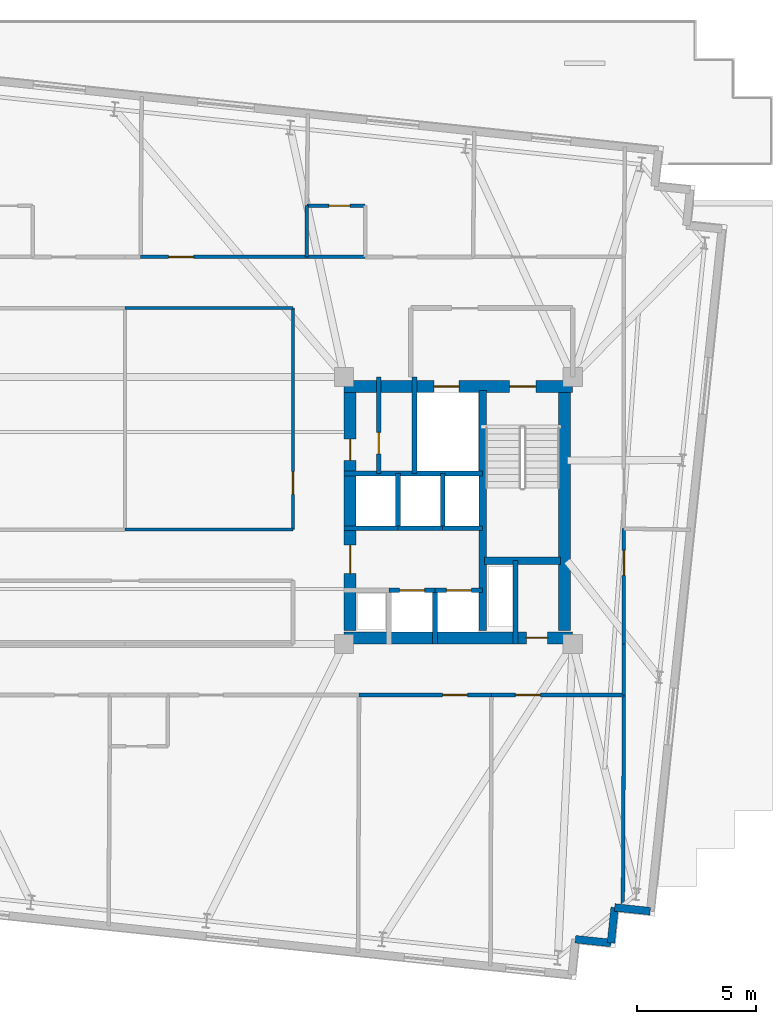
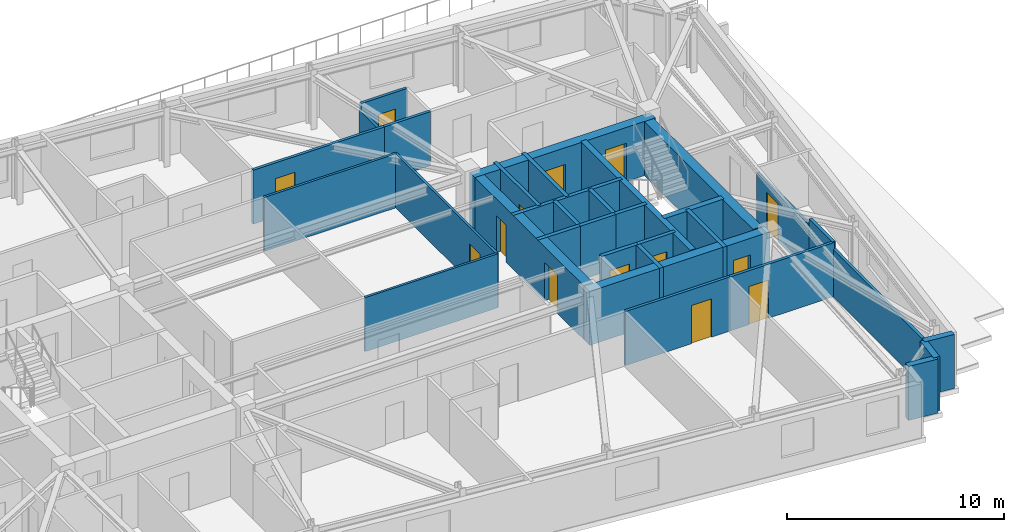
# One storey, part 8 of 13: 33 walls, 14 doors, 14 openings.
"""IFC4 building model written with IfcOpenShell, lengths in metres."""

from ifc_helpers import new_model, si_unit, direction, frame, frame_2d, origin, place, context, subcontext, project, spatial, rectangle, extrude, material, layer, layer_set, type_object, element, fill, save


model = new_model("IFC4")

# Units and contexts
model_context = context("Model", 3, precision=1e-05, world=origin(), true_north=direction((0.0, 1.0)))
body_context = subcontext(model_context, "Body", "Model", "MODEL_VIEW")
ifc_project = project(units=[si_unit("LENGTHUNIT", "METRE"), si_unit("AREAUNIT", "SQUARE_METRE"), si_unit("VOLUMEUNIT", "CUBIC_METRE"), si_unit("PLANEANGLEUNIT", "RADIAN"), si_unit("MASSUNIT", "GRAM", prefix="KILO")], contexts=[model_context])

# Site, building, storey
site_placement = place(None, origin())
site = spatial("IfcSite", under=ifc_project, at=site_placement, CompositionType="ELEMENT")
building_placement = place(site_placement, origin())
building = spatial("IfcBuilding", under=site, at=building_placement, Name="Qobustan Lattice House", CompositionType="ELEMENT")
storey_placement = place(building_placement, frame((0.0, 0.0, 179.64990234375)))
storey = spatial("IfcBuildingStorey", under=building, at=storey_placement, Name="L50", CompositionType="ELEMENT", Elevation=179.64990234375)

# Wall, openings, doors
ifc_material_1 = material(Name="Concrete C50/60", Category="concrete")
ifc_layer_1 = layer(ifc_material_1, 0.5)
ifc_layer_set_1 = layer_set([ifc_layer_1], Name="Concrete C50/60")
wall_type_1 = type_object("IfcWallType", Name="WAL-CORE-500", PredefinedType="SHEAR", material=ifc_layer_set_1)
wall_1_placement = place(storey_placement, frame((9.199951171875, 5.2099609375, 0.0), z_axis=(0.0, 0.0, 1.0), x_axis=(1.0, 0.0, 0.0)))
wall_1 = element("IfcWall", 1, at=wall_1_placement, inside=storey, type_object=wall_type_1, Name="L50 split-core shear wall CE-N", PredefinedType="SHEAR", context=body_context, shape_type="SweptSolid", body=[
    extrude(rectangle(XDim=9.60009765625, YDim=0.5, at=frame_2d((4.800048828125, 0.0))), origin(), (0.0, 0.0, 1.0), 3.0400390625),
])
opening_1_placement = place(wall_1_placement, frame((6.949951171875, 0.0, 0.0)))
opening_1 = element("IfcOpeningElement", 2, at=opening_1_placement, cuts=wall_1, Name="Opening SD-01", PredefinedType="OPENING", context=body_context, shape_type="SweptSolid", body=[
    extrude(rectangle(XDim=1.10009765625, YDim=2.14990234375, at=frame_2d((0.550048828125, 1.074951171875))), frame((0.0, 0.260009765625, 0.0), z_axis=(0.0, -1.0, 0.0), x_axis=(1.0, 0.0, 0.0)), (0.0, 0.0, 1.0), 0.52001953125),
])
opening_2_placement = place(wall_1_placement, frame((3.77490234375, 0.0, 0.0)))
opening_2 = element("IfcOpeningElement", 3, at=opening_2_placement, cuts=wall_1, Name="Opening LD-01", PredefinedType="OPENING", context=body_context, shape_type="SweptSolid", body=[
    extrude(rectangle(XDim=1.050048828125, YDim=2.10009765625, at=frame_2d((0.52490234375, 1.050048828125))), frame((0.0, 0.260009765625, 0.0), z_axis=(0.0, -1.0, 0.0), x_axis=(1.0, 0.0, 0.0)), (0.0, 0.0, 1.0), 0.52001953125),
])
ifc_material_2 = material(Name="Persian walnut timber and steel frame door", Category="steel")
door_type_1 = type_object("IfcDoorType", Name="DOR-LIFT-LD-1050x2100", OperationType="NOTDEFINED", PredefinedType="DOOR", material=ifc_material_2)
door_1_placement = place(opening_2_placement, origin())
door_1 = element("IfcDoor", 4, at=door_1_placement, inside=storey, type_object=door_type_1, Name="L50 firefighting lift FF-E landing door", OperationType="DOUBLE_DOOR_SLIDING", OverallHeight=2.10009765625, OverallWidth=1.050048828125, PredefinedType="DOOR", context=body_context, shape_type="SweptSolid", body=[
    extrude(rectangle(XDim=1.050048828125, YDim=2.10009765625, at=frame_2d((0.52490234375, 1.050048828125))), frame((0.0, 0.02490234375, 0.0), z_axis=(0.0, -1.0, 0.0), x_axis=(1.0, 0.0, 0.0)), (0.0, 0.0, 1.0), 0.050048828125),
])
fill(opening_2, door_1)
ifc_material_3 = material(Name="Persian walnut timber and steel frame door", Category="steel")
door_type_2 = type_object("IfcDoorType", Name="DOR-STAIR-FD-1100x2150", OperationType="NOTDEFINED", PredefinedType="DOOR", material=ifc_material_3)
door_2_placement = place(opening_1_placement, origin())
door_2 = element("IfcDoor", 5, at=door_2_placement, inside=storey, type_object=door_type_2, Name="L50 exit stair ST-E1 fire door", OperationType="SINGLE_SWING_RIGHT", OverallHeight=2.14990234375, OverallWidth=1.10009765625, PredefinedType="DOOR", context=body_context, shape_type="SweptSolid", body=[
    extrude(rectangle(XDim=1.10009765625, YDim=2.14990234375, at=frame_2d((0.550048828125, 1.074951171875))), frame((0.0, 0.02490234375, 0.0), z_axis=(0.0, -1.0, 0.0), x_axis=(1.0, 0.0, 0.0)), (0.0, 0.0, 1.0), 0.050048828125),
])
fill(opening_1, door_2)

# Wall, opening, door
wall_2_placement = place(storey_placement, frame((9.199951171875, -5.35009765625, 0.0), z_axis=(0.0, 0.0, 1.0), x_axis=(1.0, 0.0, 0.0)))
wall_2 = element("IfcWall", 6, at=wall_2_placement, inside=storey, type_object=wall_type_1, Name="L50 split-core shear wall CE-S", PredefinedType="SHEAR", context=body_context, shape_type="SweptSolid", body=[
    extrude(rectangle(XDim=9.60009765625, YDim=0.5, at=frame_2d((4.800048828125, 0.0))), origin(), (0.0, 0.0, 1.0), 3.0400390625),
])
opening_3_placement = place(wall_2_placement, frame((7.64990234375, 0.0, 0.0)))
opening_3 = element("IfcOpeningElement", 7, at=opening_3_placement, cuts=wall_2, Name="Opening RD-01", PredefinedType="OPENING", context=body_context, shape_type="SweptSolid", body=[
    extrude(rectangle(XDim=0.89990234375, YDim=2.10009765625, at=frame_2d((0.449951171875, 1.050048828125))), frame((0.0, 0.260009765625, 0.0), z_axis=(0.0, -1.0, 0.0), x_axis=(1.0, 0.0, 0.0)), (0.0, 0.0, 1.0), 0.52001953125),
])
ifc_material_4 = material(Name="Persian walnut timber and steel frame door", Category="steel")
door_type_3 = type_object("IfcDoorType", Name="DOR-RISER-FD-900x2100", OperationType="NOTDEFINED", PredefinedType="DOOR", material=ifc_material_4)
door_3_placement = place(opening_3_placement, origin())
door_3 = element("IfcDoor", 8, at=door_3_placement, inside=storey, type_object=door_type_3, Name="L50 core service riser access door E", OperationType="SINGLE_SWING_RIGHT", OverallHeight=2.10009765625, OverallWidth=0.89990234375, PredefinedType="DOOR", context=body_context, shape_type="SweptSolid", body=[
    extrude(rectangle(XDim=0.89990234375, YDim=2.10009765625, at=frame_2d((0.449951171875, 1.050048828125))), frame((0.0, 0.02490234375, 0.0), z_axis=(0.0, -1.0, 0.0), x_axis=(1.0, 0.0, 0.0)), (0.0, 0.0, 1.0), 0.050048828125),
])
fill(opening_3, door_3)

# Wall, openings, doors
wall_3_placement = place(storey_placement, frame((9.449951171875, -5.050048828125, 0.0), z_axis=(0.0, 0.0, 1.0), x_axis=(0.0, 1.0, 0.0)))
wall_3 = element("IfcWall", 9, at=wall_3_placement, inside=storey, type_object=wall_type_1, Name="L50 split-core shear wall CE-W", PredefinedType="SHEAR", context=body_context, shape_type="SweptSolid", body=[
    extrude(rectangle(XDim=10.10009765625, YDim=0.5, at=frame_2d((5.050048828125, 0.0))), origin(), (0.0, 0.0, 1.0), 3.0400390625),
])
opening_4_placement = place(wall_3_placement, frame((7.14990234375, 0.0, 0.0)))
opening_4 = element("IfcOpeningElement", 10, at=opening_4_placement, cuts=wall_3, Name="Opening RD-01", PredefinedType="OPENING", context=body_context, shape_type="SweptSolid", body=[
    extrude(rectangle(XDim=0.89990234375, YDim=2.10009765625, at=frame_2d((0.449951171875, 1.050048828125))), frame((0.0, 0.260009765625, 0.0), z_axis=(0.0, -1.0, 0.0), x_axis=(1.0, 0.0, 0.0)), (0.0, 0.0, 1.0), 0.52001953125),
])
opening_5_placement = place(wall_3_placement, frame((2.39990234375, 0.0, 0.0)))
opening_5 = element("IfcOpeningElement", 11, at=opening_5_placement, cuts=wall_3, Name="Opening FD-01", PredefinedType="OPENING", context=body_context, shape_type="SweptSolid", body=[
    extrude(rectangle(XDim=1.199951171875, YDim=2.14990234375, at=frame_2d((0.60009765625, 1.074951171875))), frame((0.0, 0.260009765625, 0.0), z_axis=(0.0, -1.0, 0.0), x_axis=(1.0, 0.0, 0.0)), (0.0, 0.0, 1.0), 0.52001953125),
])
ifc_material_5 = material(Name="Persian walnut timber and steel frame door", Category="steel")
door_type_4 = type_object("IfcDoorType", Name="DOR-LOBBY-FD-1200x2150", OperationType="NOTDEFINED", PredefinedType="DOOR", material=ifc_material_5)
door_4_placement = place(opening_5_placement, origin())
door_4 = element("IfcDoor", 12, at=door_4_placement, inside=storey, type_object=door_type_4, Name="L50 East passenger lift lobby fire door", OperationType="SINGLE_SWING_LEFT", OverallHeight=2.14990234375, OverallWidth=1.199951171875, PredefinedType="DOOR", context=body_context, shape_type="SweptSolid", body=[
    extrude(rectangle(XDim=1.199951171875, YDim=2.14990234375, at=frame_2d((0.60009765625, 1.074951171875))), frame((0.0, 0.02490234375, 0.0), z_axis=(0.0, -1.0, 0.0), x_axis=(1.0, 0.0, 0.0)), (0.0, 0.0, 1.0), 0.050048828125),
])
fill(opening_5, door_4)
door_5_placement = place(opening_4_placement, origin())
door_5 = element("IfcDoor", 13, at=door_5_placement, inside=storey, type_object=door_type_3, Name="L50 Print and mail closet fire door", OperationType="SINGLE_SWING_RIGHT", OverallHeight=2.10009765625, OverallWidth=0.89990234375, PredefinedType="DOOR", context=body_context, shape_type="SweptSolid", body=[
    extrude(rectangle(XDim=0.89990234375, YDim=2.10009765625, at=frame_2d((0.449951171875, 1.050048828125))), frame((0.0, 0.02490234375, 0.0), z_axis=(0.0, -1.0, 0.0), x_axis=(1.0, 0.0, 0.0)), (0.0, 0.0, 1.0), 0.050048828125),
])
fill(opening_4, door_5)

# Walls
wall_4_placement = place(storey_placement, frame((18.4599609375, -5.050048828125, 0.0), z_axis=(0.0, 0.0, 1.0), x_axis=(0.0, 1.0, 0.0)))
element("IfcWall", 14, at=wall_4_placement, inside=storey, type_object=wall_type_1, Name="L50 split-core shear wall CE-E", PredefinedType="SHEAR", context=body_context, shape_type="SweptSolid", body=[
    extrude(rectangle(XDim=10.10009765625, YDim=0.5, at=frame_2d((5.050048828125, 0.0))), origin(), (0.0, 0.0, 1.0), 3.0400390625),
])
ifc_material_6 = material(Name="Concrete C50/60", Category="concrete")
ifc_layer_2 = layer(ifc_material_6, 0.280029296875)
ifc_layer_set_2 = layer_set([ifc_layer_2], Name="Concrete C50/60")
wall_type_2 = type_object("IfcWallType", Name="WAL-CORE-SPINE-280", PredefinedType="SHEAR", material=ifc_layer_set_2)
wall_5_placement = place(storey_placement, frame((15.02001953125, -5.050048828125, 0.0), z_axis=(0.0, 0.0, 1.0), x_axis=(0.0, 1.0, 0.0)))
element("IfcWall", 15, at=wall_5_placement, inside=storey, type_object=wall_type_2, Name="L50 split-core shear wall CE-M", PredefinedType="SHEAR", context=body_context, shape_type="SweptSolid", body=[
    extrude(rectangle(XDim=10.10009765625, YDim=0.300048828125, at=frame_2d((5.050048828125, 0.0))), origin(), (0.0, 0.0, 1.0), 3.0400390625),
])
wall_6_placement = place(storey_placement, frame((15.10009765625, -2.110107421875, 0.0), z_axis=(0.0, 0.0, 1.0), x_axis=(1.0, 0.0, 0.0)))
element("IfcWall", 16, at=wall_6_placement, inside=storey, type_object=wall_type_2, Name="L50 split-core shear wall CE-ST", PredefinedType="SHEAR", context=body_context, shape_type="SweptSolid", body=[
    extrude(rectangle(XDim=3.179931640625, YDim=0.300048828125, at=frame_2d((1.58984375, 0.0))), origin(), (0.0, 0.0, 1.0), 3.0400390625),
])
ifc_material_7 = material(Name="Precast concrete C40/50", Category="concrete")
ifc_layer_3 = layer(ifc_material_7, 0.320068359375)
ifc_layer_set_3 = layer_set([ifc_layer_3], Name="Precast concrete C40/50")
wall_type_3 = type_object("IfcWallType", Name="WAL-EXT-STONE-320", PredefinedType="SOLIDWALL", material=ifc_layer_set_3)
wall_7_placement = place(storey_placement, frame((22.052978515625, -16.828369140625, 0.0), z_axis=(0.0, 0.0, 1.0), x_axis=(-0.994526834051, 0.104481464157, 0.0)))
element("IfcWall", 17, at=wall_7_placement, inside=storey, type_object=wall_type_3, Name="L50 exterior limestone-clad wall 16", PredefinedType="SOLIDWALL", context=body_context, shape_type="SweptSolid", body=[
    extrude(rectangle(XDim=1.500244140625, YDim=0.320068359375, at=frame_2d((0.75, 0.0))), origin(), (0.0, 0.0, 1.0), 3.0400390625),
])
for number, where, z_axis, x_axis, name in (
    (18, (20.56103515625, -16.671630859375, 0.0), (0.0, 0.0, 1.0), (-0.104498377516, -0.994525057048, 0.0), "L50 exterior limestone-clad wall 17"),
    (19, (20.404296875, -18.163330078125, 0.0), (0.0, 0.0, 1.0), (-0.994525057048, 0.104498377516, 0.0), "L50 exterior limestone-clad wall 18"),
):
    element("IfcWall", number, at=place(storey_placement, frame(where, z_axis=z_axis, x_axis=x_axis)), inside=storey, type_object=wall_type_3, Name=name, PredefinedType="SOLIDWALL", context=body_context, shape_type="SweptSolid", body=[
        extrude(rectangle(XDim=1.5, YDim=0.320068359375, at=frame_2d((0.75, 0.0))), origin(), (0.0, 0.0, 1.0), 3.0400390625),
    ])

# Wall, opening, door
ifc_material_8 = material(Name="Gypsum fireboard acoustic partition", Category="gypsum")
ifc_layer_4 = layer(ifc_material_8, 0.179931640625)
ifc_layer_set_4 = layer_set([ifc_layer_4], Name="Gypsum fireboard acoustic partition")
wall_type_4 = type_object("IfcWallType", Name="WAL-FIRE-180", PredefinedType="PARTITIONING", material=ifc_layer_set_4)
wall_8_placement = place(storey_placement, frame((10.64990234375, 1.550048828125, 0.0), z_axis=(0.0, 0.0, 1.0), x_axis=(0.0, 1.0, 0.0)))
wall_8 = element("IfcWall", 20, at=wall_8_placement, inside=storey, type_object=wall_type_4, Name="L50 interior partition 18", PredefinedType="PARTITIONING", context=body_context, shape_type="SweptSolid", body=[
    extrude(rectangle(XDim=4.050048828125, YDim=0.179931640625, at=frame_2d((2.02490234375, 0.0))), origin(), (0.0, 0.0, 1.0), 3.0400390625),
])
opening_6_placement = place(wall_8_placement, frame((0.828857421875, 0.0, 0.0)))
opening_6 = element("IfcOpeningElement", 21, at=opening_6_placement, cuts=wall_8, Name="Opening RD-01", PredefinedType="OPENING", context=body_context, shape_type="SweptSolid", body=[
    extrude(rectangle(XDim=0.89990234375, YDim=2.10009765625, at=frame_2d((0.449951171875, 1.050048828125))), frame((0.0, 0.099853515625, 0.0), z_axis=(0.0, -1.0, 0.0), x_axis=(1.0, 0.0, 0.0)), (0.0, 0.0, 1.0), 0.199951171875),
])
door_6_placement = place(opening_6_placement, origin())
door_6 = element("IfcDoor", 22, at=door_6_placement, inside=storey, type_object=door_type_3, Name="L50 Print and mail closet to Core utility store door", OperationType="SINGLE_SWING_LEFT", OverallHeight=2.10009765625, OverallWidth=0.89990234375, PredefinedType="DOOR", context=body_context, shape_type="SweptSolid", body=[
    extrude(rectangle(XDim=0.89990234375, YDim=2.10009765625, at=frame_2d((0.449951171875, 1.050048828125))), frame((0.0, 0.02490234375, 0.0), z_axis=(0.0, -1.0, 0.0), x_axis=(1.0, 0.0, 0.0)), (0.0, 0.0, 1.0), 0.050048828125),
])
fill(opening_6, door_6)

# Walls
ifc_material_9 = material(Name="Lightweight acoustic stud partition", Category="gypsum")
ifc_layer_5 = layer(ifc_material_9, 0.125)
ifc_layer_set_5 = layer_set([ifc_layer_5], Name="Lightweight acoustic stud partition")
wall_type_5 = type_object("IfcWallType", Name="WAL-PART-125", PredefinedType="PARTITIONING", material=ifc_layer_set_5)
for number, where, z_axis, x_axis, name in (
    (23, (7.050048828125, 8.5, 0.0), (0.0, 0.0, 1.0), (-1.0, 0.0, 0.0), "L50 interior partition 43"),
    (24, (0.0, -0.800048828125, 0.0), (0.0, 0.0, 1.0), (1.0, 0.0, 0.0), "L50 interior partition 61"),
):
    element("IfcWall", number, at=place(storey_placement, frame(where, z_axis=z_axis, x_axis=x_axis)), inside=storey, type_object=wall_type_5, Name=name, PredefinedType="PARTITIONING", context=body_context, shape_type="SweptSolid", body=[
        extrude(rectangle(XDim=7.050048828125, YDim=0.125, at=frame_2d((3.52490234375, 0.0))), origin(), (0.0, 0.0, 1.0), 3.0400390625),
    ])

# Wall, opening, door
wall_9_placement = place(storey_placement, frame((7.050048828125, -0.800048828125, 0.0), z_axis=(0.0, 0.0, 1.0), x_axis=(0.0, 1.0, 0.0)))
wall_9 = element("IfcWall", 25, at=wall_9_placement, inside=storey, type_object=wall_type_5, Name="L50 interior partition 65", PredefinedType="PARTITIONING", context=body_context, shape_type="SweptSolid", body=[
    extrude(rectangle(XDim=9.300048828125, YDim=0.125, at=frame_2d((4.64990234375, 0.0))), origin(), (0.0, 0.0, 1.0), 3.0400390625),
])
opening_7_placement = place(wall_9_placement, frame((1.478759765625, 0.0, 0.0)))
opening_7 = element("IfcOpeningElement", 26, at=opening_7_placement, cuts=wall_9, Name="Opening ID-01", PredefinedType="OPENING", context=body_context, shape_type="SweptSolid", body=[
    extrude(rectangle(XDim=0.949951171875, YDim=2.10009765625, at=frame_2d((0.47509765625, 1.050048828125))), frame((0.0, 0.072509765625, 0.0), z_axis=(0.0, -1.0, 0.0), x_axis=(1.0, 0.0, 0.0)), (0.0, 0.0, 1.0), 0.14501953125),
])
ifc_material_10 = material(Name="Persian walnut timber and steel frame door", Category="steel")
door_type_5 = type_object("IfcDoorType", Name="DOR-ROOM-950x2100", OperationType="NOTDEFINED", PredefinedType="DOOR", material=ifc_material_10)
door_7_placement = place(opening_7_placement, origin())
door_7 = element("IfcDoor", 27, at=door_7_placement, inside=storey, type_object=door_type_5, Name="L50 East floor link corridor to Focus booth salon door", OperationType="SINGLE_SWING_LEFT", OverallHeight=2.10009765625, OverallWidth=0.949951171875, PredefinedType="DOOR", context=body_context, shape_type="SweptSolid", body=[
    extrude(rectangle(XDim=0.949951171875, YDim=2.10009765625, at=frame_2d((0.47509765625, 1.050048828125))), frame((0.0, 0.02490234375, 0.0), z_axis=(0.0, -1.0, 0.0), x_axis=(1.0, 0.0, 0.0)), (0.0, 0.0, 1.0), 0.050048828125),
])
fill(opening_7, door_7)

ifc_material_11 = material(Name="Acoustic twin-stud gypsum partition", Category="gypsum")
ifc_layer_6 = layer(ifc_material_11, 0.14990234375)
ifc_layer_set_6 = layer_set([ifc_layer_6], Name="Acoustic twin-stud gypsum partition")
wall_type_6 = type_object("IfcWallType", Name="WAL-PART-150", PredefinedType="PARTITIONING", material=ifc_layer_set_6)
wall_10_placement = place(storey_placement, frame((0.64990234375, 10.64990234375, 0.0), z_axis=(0.0, 0.0, 1.0), x_axis=(1.0, 0.0, 0.0)))
wall_10 = element("IfcWall", 28, at=wall_10_placement, inside=storey, type_object=wall_type_6, Name="L50 interior partition 39", PredefinedType="PARTITIONING", context=body_context, shape_type="SweptSolid", body=[
    extrude(rectangle(XDim=6.983154296875, YDim=0.14990234375, at=frame_2d((3.49169921875, 0.0))), origin(), (0.0, 0.0, 1.0), 3.0400390625),
])
opening_8_placement = place(wall_10_placement, frame((1.176513671875, 0.0, 0.0)))
opening_8 = element("IfcOpeningElement", 29, at=opening_8_placement, cuts=wall_10, Name="Opening ID-02", PredefinedType="OPENING", context=body_context, shape_type="SweptSolid", body=[
    extrude(rectangle(XDim=1.050048828125, YDim=2.14990234375, at=frame_2d((0.52490234375, 1.074951171875))), frame((0.0, 0.0849609375, 0.0), z_axis=(0.0, -1.0, 0.0), x_axis=(1.0, 0.0, 0.0)), (0.0, 0.0, 1.0), 0.169921875),
])
ifc_material_12 = material(Name="Persian walnut timber and steel frame door", Category="steel")
door_type_6 = type_object("IfcDoorType", Name="DOR-STUDY-1050x2150", OperationType="NOTDEFINED", PredefinedType="DOOR", material=ifc_material_12)
door_8_placement = place(opening_8_placement, origin())
door_8 = element("IfcDoor", 30, at=door_8_placement, inside=storey, type_object=door_type_6, Name="L50 North-east floor corridor to Garden terrace reading salon N4 door", OperationType="SINGLE_SWING_RIGHT", OverallHeight=2.14990234375, OverallWidth=1.050048828125, PredefinedType="DOOR", context=body_context, shape_type="SweptSolid", body=[
    extrude(rectangle(XDim=1.050048828125, YDim=2.14990234375, at=frame_2d((0.52490234375, 1.074951171875))), frame((0.0, 0.02490234375, 0.0), z_axis=(0.0, -1.0, 0.0), x_axis=(1.0, 0.0, 0.0)), (0.0, 0.0, 1.0), 0.050048828125),
])
fill(opening_8, door_8)

# Wall
wall_11_placement = place(storey_placement, frame((20.949951171875, -5.60009765625, 0.0), z_axis=(0.0, 0.0, 1.0), x_axis=(0.0, -1.0, 0.0)))
element("IfcWall", 31, at=wall_11_placement, inside=storey, type_object=wall_type_6, Name="L50 interior partition 51", PredefinedType="PARTITIONING", context=body_context, shape_type="SweptSolid", body=[
    extrude(rectangle(XDim=2.14990234375, YDim=0.14990234375, at=frame_2d((1.074951171875, 0.0))), origin(), (0.0, 0.0, 1.0), 3.0400390625),
])

# Wall, opening, door
wall_12_placement = place(storey_placement, frame((15.387451171875, -7.75, 0.0), z_axis=(0.0, 0.0, 1.0), x_axis=(-1.0, 0.0, 0.0)))
wall_12 = element("IfcWall", 32, at=wall_12_placement, inside=storey, type_object=wall_type_6, Name="L50 interior partition 54", PredefinedType="PARTITIONING", context=body_context, shape_type="SweptSolid", body=[
    extrude(rectangle(XDim=5.5625, YDim=0.14990234375, at=frame_2d((2.78125, 0.0))), origin(), (0.0, 0.0, 1.0), 3.0400390625),
])
opening_9_placement = place(wall_12_placement, frame((0.9990234375, 0.0, 0.0)))
opening_9 = element("IfcOpeningElement", 33, at=opening_9_placement, cuts=wall_12, Name="Opening ID-02", PredefinedType="OPENING", context=body_context, shape_type="SweptSolid", body=[
    extrude(rectangle(XDim=1.050048828125, YDim=2.14990234375, at=frame_2d((0.52490234375, 1.074951171875))), frame((0.0, 0.0849609375, 0.0), z_axis=(0.0, -1.0, 0.0), x_axis=(1.0, 0.0, 0.0)), (0.0, 0.0, 1.0), 0.169921875),
])
door_9_placement = place(opening_9_placement, origin())
door_9 = element("IfcDoor", 34, at=door_9_placement, inside=storey, type_object=door_type_6, Name="L50 South-east floor corridor to Group study room door", OperationType="SINGLE_SWING_RIGHT", OverallHeight=2.14990234375, OverallWidth=1.050048828125, PredefinedType="DOOR", context=body_context, shape_type="SweptSolid", body=[
    extrude(rectangle(XDim=1.050048828125, YDim=2.14990234375, at=frame_2d((0.52490234375, 1.074951171875))), frame((0.0, 0.02490234375, 0.0), z_axis=(0.0, -1.0, 0.0), x_axis=(1.0, 0.0, 0.0)), (0.0, 0.0, 1.0), 0.050048828125),
])
fill(opening_9, door_9)

wall_13_placement = place(storey_placement, frame((20.949951171875, -7.75, 0.0), z_axis=(0.0, 0.0, 1.0), x_axis=(-1.0, 0.0, 0.0)))
wall_13 = element("IfcWall", 35, at=wall_13_placement, inside=storey, type_object=wall_type_6, Name="L50 interior partition 55", PredefinedType="PARTITIONING", context=body_context, shape_type="SweptSolid", body=[
    extrude(rectangle(XDim=5.5625, YDim=0.14990234375, at=frame_2d((2.78125, 0.0))), origin(), (0.0, 0.0, 1.0), 3.0400390625),
])
opening_10_placement = place(wall_13_placement, frame((3.513427734375, 0.0, 0.0)))
opening_10 = element("IfcOpeningElement", 36, at=opening_10_placement, cuts=wall_13, Name="Opening ID-02", PredefinedType="OPENING", context=body_context, shape_type="SweptSolid", body=[
    extrude(rectangle(XDim=1.050048828125, YDim=2.14990234375, at=frame_2d((0.52490234375, 1.074951171875))), frame((0.0, 0.0849609375, 0.0), z_axis=(0.0, -1.0, 0.0), x_axis=(1.0, 0.0, 0.0)), (0.0, 0.0, 1.0), 0.169921875),
])
door_10_placement = place(opening_10_placement, origin())
door_10 = element("IfcDoor", 37, at=door_10_placement, inside=storey, type_object=door_type_6, Name="L50 South-east floor corridor to Academic seminar room door", OperationType="SINGLE_SWING_LEFT", OverallHeight=2.14990234375, OverallWidth=1.050048828125, PredefinedType="DOOR", context=body_context, shape_type="SweptSolid", body=[
    extrude(rectangle(XDim=1.050048828125, YDim=2.14990234375, at=frame_2d((0.52490234375, 1.074951171875))), frame((0.0, 0.02490234375, 0.0), z_axis=(0.0, -1.0, 0.0), x_axis=(1.0, 0.0, 0.0)), (0.0, 0.0, 1.0), 0.050048828125),
])
fill(opening_10, door_10)

wall_14_placement = place(storey_placement, frame((20.949951171875, -0.76318359375, 0.0), z_axis=(0.0, 0.0, 1.0), x_axis=(0.0, -1.0, 0.0)))
wall_14 = element("IfcWall", 38, at=wall_14_placement, inside=storey, type_object=wall_type_6, Name="L50 interior partition 58", PredefinedType="PARTITIONING", context=body_context, shape_type="SweptSolid", body=[
    extrude(rectangle(XDim=4.8369140625, YDim=0.14990234375, at=frame_2d((2.41845703125, 0.0))), origin(), (0.0, 0.0, 1.0), 2.695068359375),
])
opening_11_placement = place(wall_14_placement, frame((0.908203125, 0.0, 0.0)))
opening_11 = element("IfcOpeningElement", 39, at=opening_11_placement, cuts=wall_14, Name="Opening ID-02", PredefinedType="OPENING", context=body_context, shape_type="SweptSolid", body=[
    extrude(rectangle(XDim=1.050048828125, YDim=2.14990234375, at=frame_2d((0.52490234375, 1.074951171875))), frame((0.0, 0.0849609375, 0.0), z_axis=(0.0, -1.0, 0.0), x_axis=(1.0, 0.0, 0.0)), (0.0, 0.0, 1.0), 0.169921875),
])
door_11_placement = place(opening_11_placement, origin())
door_11 = element("IfcDoor", 40, at=door_11_placement, inside=storey, type_object=door_type_6, Name="L50 East wing spine gallery to Spiral terrace south lounge door", OperationType="SINGLE_SWING_LEFT", OverallHeight=2.14990234375, OverallWidth=1.050048828125, PredefinedType="DOOR", context=body_context, shape_type="SweptSolid", body=[
    extrude(rectangle(XDim=1.050048828125, YDim=2.14990234375, at=frame_2d((0.52490234375, 1.074951171875))), frame((0.0, 0.02490234375, 0.0), z_axis=(0.0, -1.0, 0.0), x_axis=(1.0, 0.0, 0.0)), (0.0, 0.0, 1.0), 0.050048828125),
])
fill(opening_11, door_11)

# Walls
wall_15_placement = place(storey_placement, frame((20.906005859375, -16.7080078125, 0.0), z_axis=(0.0, 0.0, 1.0), x_axis=(0.004905642486, 0.999987967264, 0.0)))
element("IfcWall", 41, at=wall_15_placement, inside=storey, type_object=wall_type_6, Name="L50 interior partition 83", PredefinedType="PARTITIONING", context=body_context, shape_type="SweptSolid", body=[
    extrude(rectangle(XDim=8.9580078125, YDim=0.14990234375, at=frame_2d((4.47900390625, 0.0))), origin(), (0.0, 0.0, 1.0), 2.6650390625),
])
ifc_material_13 = material(Name="Concrete C40/50", Category="concrete")
ifc_layer_7 = layer(ifc_material_13, 0.199951171875)
ifc_layer_set_7 = layer_set([ifc_layer_7], Name="Concrete C40/50")
wall_type_7 = type_object("IfcWallType", Name="WAL-SHAFT-200", PredefinedType="PARTITIONING", material=ifc_layer_set_7)
wall_16_placement = place(storey_placement, frame((16.39990234375, -2.110107421875, 0.0), z_axis=(0.0, 0.0, 1.0), x_axis=(0.0, -1.0, 0.0)))
element("IfcWall", 42, at=wall_16_placement, inside=storey, type_object=wall_type_7, Name="L50 interior partition 13", PredefinedType="PARTITIONING", context=body_context, shape_type="SweptSolid", body=[
    extrude(rectangle(XDim=3.489990234375, YDim=0.199951171875, at=frame_2d((1.7451171875, 0.0))), origin(), (0.0, 0.0, 1.0), 3.0400390625),
])
wall_17_placement = place(storey_placement, frame((12.14990234375, 5.60009765625, 0.0), z_axis=(0.0, 0.0, 1.0), x_axis=(0.0, -1.0, 0.0)))
element("IfcWall", 43, at=wall_17_placement, inside=storey, type_object=wall_type_7, Name="L50 interior partition 14", PredefinedType="PARTITIONING", context=body_context, shape_type="SweptSolid", body=[
    extrude(rectangle(XDim=4.050048828125, YDim=0.199951171875, at=frame_2d((2.02490234375, 0.0))), origin(), (0.0, 0.0, 1.0), 3.0400390625),
])

# Wall, opening, door
wall_18_placement = place(storey_placement, frame((11.080078125, -3.35009765625, 0.0), z_axis=(0.0, 0.0, 1.0), x_axis=(1.0, 0.0, 0.0)))
wall_18 = element("IfcWall", 44, at=wall_18_placement, inside=storey, type_object=wall_type_7, Name="L50 interior partition 21", PredefinedType="PARTITIONING", context=body_context, shape_type="SweptSolid", body=[
    extrude(rectangle(XDim=1.93994140625, YDim=0.199951171875, at=frame_2d((0.969970703125, 0.0))), origin(), (0.0, 0.0, 1.0), 3.0400390625),
])
opening_12_placement = place(wall_18_placement, frame((0.445068359375, 0.0, 0.0)))
opening_12 = element("IfcOpeningElement", 45, at=opening_12_placement, cuts=wall_18, Name="Opening LD-01", PredefinedType="OPENING", context=body_context, shape_type="SweptSolid", body=[
    extrude(rectangle(XDim=1.050048828125, YDim=2.10009765625, at=frame_2d((0.52490234375, 1.050048828125))), frame((0.0, 0.10986328125, 0.0), z_axis=(0.0, -1.0, 0.0), x_axis=(1.0, 0.0, 0.0)), (0.0, 0.0, 1.0), 0.219970703125),
])
door_12_placement = place(opening_12_placement, origin())
door_12 = element("IfcDoor", 46, at=door_12_placement, inside=storey, type_object=door_type_1, Name="L50 lift landing door", OperationType="DOUBLE_DOOR_SLIDING", OverallHeight=2.10009765625, OverallWidth=1.050048828125, PredefinedType="DOOR", context=body_context, shape_type="SweptSolid", body=[
    extrude(rectangle(XDim=1.050048828125, YDim=2.10009765625, at=frame_2d((0.52490234375, 1.050048828125))), frame((0.0, 0.02490234375, 0.0), z_axis=(0.0, -1.0, 0.0), x_axis=(1.0, 0.0, 0.0)), (0.0, 0.0, 1.0), 0.050048828125),
])
fill(opening_12, door_12)

wall_19_placement = place(storey_placement, frame((13.02001953125, -3.35009765625, 0.0), z_axis=(0.0, 0.0, 1.0), x_axis=(1.0, 0.0, 0.0)))
wall_19 = element("IfcWall", 47, at=wall_19_placement, inside=storey, type_object=wall_type_7, Name="L50 interior partition 22", PredefinedType="PARTITIONING", context=body_context, shape_type="SweptSolid", body=[
    extrude(rectangle(XDim=2.0, YDim=0.199951171875, at=frame_2d((1.0, 0.0))), origin(), (0.0, 0.0, 1.0), 3.0400390625),
])
opening_13_placement = place(wall_19_placement, frame((0.47509765625, 0.0, 0.0)))
opening_13 = element("IfcOpeningElement", 48, at=opening_13_placement, cuts=wall_19, Name="Opening LD-01", PredefinedType="OPENING", context=body_context, shape_type="SweptSolid", body=[
    extrude(rectangle(XDim=1.050048828125, YDim=2.10009765625, at=frame_2d((0.52490234375, 1.050048828125))), frame((0.0, 0.10986328125, 0.0), z_axis=(0.0, -1.0, 0.0), x_axis=(1.0, 0.0, 0.0)), (0.0, 0.0, 1.0), 0.219970703125),
])
door_13_placement = place(opening_13_placement, origin())
door_13 = element("IfcDoor", 49, at=door_13_placement, inside=storey, type_object=door_type_1, Name="L50 lift landing door", OperationType="DOUBLE_DOOR_SLIDING", OverallHeight=2.10009765625, OverallWidth=1.050048828125, PredefinedType="DOOR", context=body_context, shape_type="SweptSolid", body=[
    extrude(rectangle(XDim=1.050048828125, YDim=2.10009765625, at=frame_2d((0.52490234375, 1.050048828125))), frame((0.0, 0.02490234375, 0.0), z_axis=(0.0, -1.0, 0.0), x_axis=(1.0, 0.0, 0.0)), (0.0, 0.0, 1.0), 0.050048828125),
])
fill(opening_13, door_13)

# Walls
wall_20_placement = place(storey_placement, frame((11.4599609375, -0.75, 0.0), z_axis=(0.0, 0.0, 1.0), x_axis=(-1.0, 0.0, 0.0)))
element("IfcWall", 50, at=wall_20_placement, inside=storey, type_object=wall_type_7, Name="L50 interior partition 23", PredefinedType="PARTITIONING", context=body_context, shape_type="SweptSolid", body=[
    extrude(rectangle(XDim=2.260009765625, YDim=0.199951171875, at=frame_2d((1.1298828125, 0.0))), origin(), (0.0, 0.0, 1.0), 3.0400390625),
])
wall_21_placement = place(storey_placement, frame((13.340087890625, -0.75, 0.0), z_axis=(0.0, 0.0, 1.0), x_axis=(-1.0, 0.0, 0.0)))
element("IfcWall", 51, at=wall_21_placement, inside=storey, type_object=wall_type_7, Name="L50 interior partition 24", PredefinedType="PARTITIONING", context=body_context, shape_type="SweptSolid", body=[
    extrude(rectangle(XDim=1.880126953125, YDim=0.199951171875, at=frame_2d((0.93994140625, 0.0))), origin(), (0.0, 0.0, 1.0), 3.0400390625),
])
wall_22_placement = place(storey_placement, frame((15.02001953125, -0.75, 0.0), z_axis=(0.0, 0.0, 1.0), x_axis=(-1.0, 0.0, 0.0)))
element("IfcWall", 52, at=wall_22_placement, inside=storey, type_object=wall_type_7, Name="L50 interior partition 25", PredefinedType="PARTITIONING", context=body_context, shape_type="SweptSolid", body=[
    extrude(rectangle(XDim=1.679931640625, YDim=0.199951171875, at=frame_2d((0.83984375, 0.0))), origin(), (0.0, 0.0, 1.0), 3.0400390625),
])
wall_23_placement = place(storey_placement, frame((13.02001953125, -5.60009765625, 0.0), z_axis=(0.0, 0.0, 1.0), x_axis=(0.0, 1.0, 0.0)))
element("IfcWall", 53, at=wall_23_placement, inside=storey, type_object=wall_type_7, Name="L50 interior partition 28", PredefinedType="PARTITIONING", context=body_context, shape_type="SweptSolid", body=[
    extrude(rectangle(XDim=2.25, YDim=0.199951171875, at=frame_2d((1.125, 0.0))), origin(), (0.0, 0.0, 1.0), 3.0400390625),
])
for number, where, z_axis, x_axis, name in (
    (54, (11.4599609375, -0.75, 0.0), (0.0, 0.0, 1.0), (0.0, 1.0, 0.0), "L50 interior partition 29"),
    (55, (13.340087890625, -0.75, 0.0), (0.0, 0.0, 1.0), (0.0, 1.0, 0.0), "L50 interior partition 30"),
):
    element("IfcWall", number, at=place(storey_placement, frame(where, z_axis=z_axis, x_axis=x_axis)), inside=storey, type_object=wall_type_7, Name=name, PredefinedType="PARTITIONING", context=body_context, shape_type="SweptSolid", body=[
        extrude(rectangle(XDim=2.300048828125, YDim=0.199951171875, at=frame_2d((1.14990234375, 0.0))), origin(), (0.0, 0.0, 1.0), 3.0400390625),
    ])
wall_24_placement = place(storey_placement, frame((9.199951171875, 1.550048828125, 0.0), z_axis=(0.0, 0.0, 1.0), x_axis=(1.0, 0.0, 0.0)))
element("IfcWall", 56, at=wall_24_placement, inside=storey, type_object=wall_type_7, Name="L50 interior partition 109", PredefinedType="PARTITIONING", context=body_context, shape_type="SweptSolid", body=[
    extrude(rectangle(XDim=5.820068359375, YDim=0.199951171875, at=frame_2d((2.91015625, 0.0))), origin(), (0.0, 0.0, 1.0), 3.0400390625),
])
ifc_material_14 = material(Name="Moisture-resistant acoustic plumbing wall", Category="gypsum")
ifc_layer_8 = layer(ifc_material_14, 0.14990234375)
ifc_layer_set_8 = layer_set([ifc_layer_8], Name="Moisture-resistant acoustic plumbing wall")
wall_type_8 = type_object("IfcWallType", Name="WAL-WET-150", PredefinedType="PLUMBINGWALL", material=ifc_layer_set_8)
wall_25_placement = place(storey_placement, frame((7.633056640625, 10.64990234375, 0.0), z_axis=(0.0, 0.0, 1.0), x_axis=(1.0, 0.0, 0.0)))
element("IfcWall", 57, at=wall_25_placement, inside=storey, type_object=wall_type_8, Name="L50 interior partition 41", PredefinedType="PLUMBINGWALL", context=body_context, shape_type="SweptSolid", body=[
    extrude(rectangle(XDim=2.449951171875, YDim=0.14990234375, at=frame_2d((1.22509765625, 0.0))), origin(), (0.0, 0.0, 1.0), 3.0400390625),
])
wall_26_placement = place(storey_placement, frame((7.633056640625, 12.800048828125, 0.0), z_axis=(0.0, 0.0, 1.0), x_axis=(0.0, -1.0, 0.0)))
element("IfcWall", 58, at=wall_26_placement, inside=storey, type_object=wall_type_8, Name="L50 interior partition 92", PredefinedType="PLUMBINGWALL", context=body_context, shape_type="SweptSolid", body=[
    extrude(rectangle(XDim=2.150146484375, YDim=0.14990234375, at=frame_2d((1.0751953125, 0.0))), origin(), (0.0, 0.0, 1.0), 2.6650390625),
])

# Wall, opening, door
wall_27_placement = place(storey_placement, frame((10.0830078125, 12.800048828125, 0.0), z_axis=(0.0, 0.0, 1.0), x_axis=(-1.0, 0.0, 0.0)))
wall_27 = element("IfcWall", 59, at=wall_27_placement, inside=storey, type_object=wall_type_8, Name="L50 interior partition 93", PredefinedType="PLUMBINGWALL", context=body_context, shape_type="SweptSolid", body=[
    extrude(rectangle(XDim=2.449951171875, YDim=0.14990234375, at=frame_2d((1.22509765625, 0.0))), origin(), (0.0, 0.0, 1.0), 3.0400390625),
])
opening_14_placement = place(wall_27_placement, frame((0.62890625, 0.0, 0.0)))
opening_14 = element("IfcOpeningElement", 60, at=opening_14_placement, cuts=wall_27, Name="Opening WD-01", PredefinedType="OPENING", context=body_context, shape_type="SweptSolid", body=[
    extrude(rectangle(XDim=0.89990234375, YDim=2.10009765625, at=frame_2d((0.449951171875, 1.050048828125))), frame((0.0, 0.0849609375, 0.0), z_axis=(0.0, -1.0, 0.0), x_axis=(1.0, 0.0, 0.0)), (0.0, 0.0, 1.0), 0.169921875),
])
ifc_material_15 = material(Name="Persian walnut timber and steel frame door", Category="steel")
door_type_7 = type_object("IfcDoorType", Name="DOR-WET-900x2100", OperationType="NOTDEFINED", PredefinedType="DOOR", material=ifc_material_15)
door_14_placement = place(opening_14_placement, origin())
door_14 = element("IfcDoor", 61, at=door_14_placement, inside=storey, type_object=door_type_7, Name="L50 Kitchenette and studio apartment L50-N5 to En-suite bathroom L50-N5 door", OperationType="SINGLE_SWING_RIGHT", OverallHeight=2.10009765625, OverallWidth=0.89990234375, PredefinedType="DOOR", context=body_context, shape_type="SweptSolid", body=[
    extrude(rectangle(XDim=0.89990234375, YDim=2.10009765625, at=frame_2d((0.449951171875, 1.050048828125))), frame((0.0, 0.02490234375, 0.0), z_axis=(0.0, -1.0, 0.0), x_axis=(1.0, 0.0, 0.0)), (0.0, 0.0, 1.0), 0.050048828125),
])
fill(opening_14, door_14)

save(model, "model.ifc")
